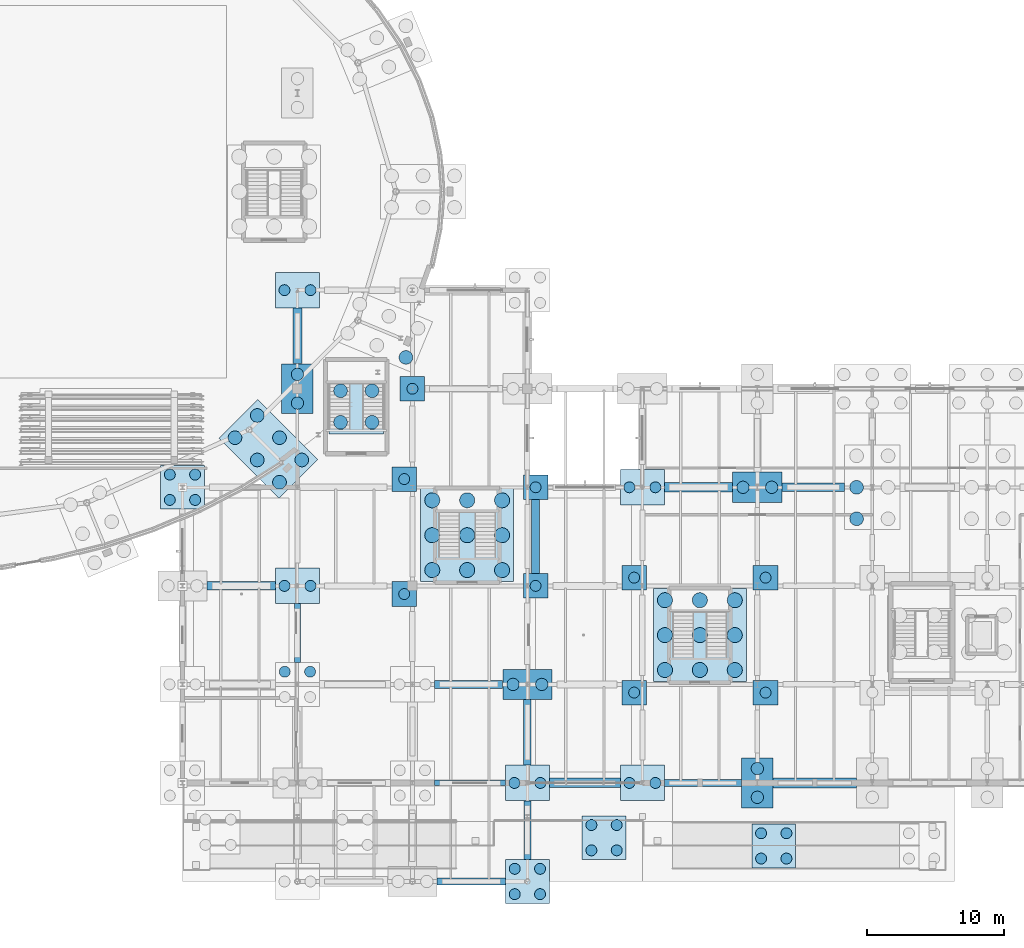
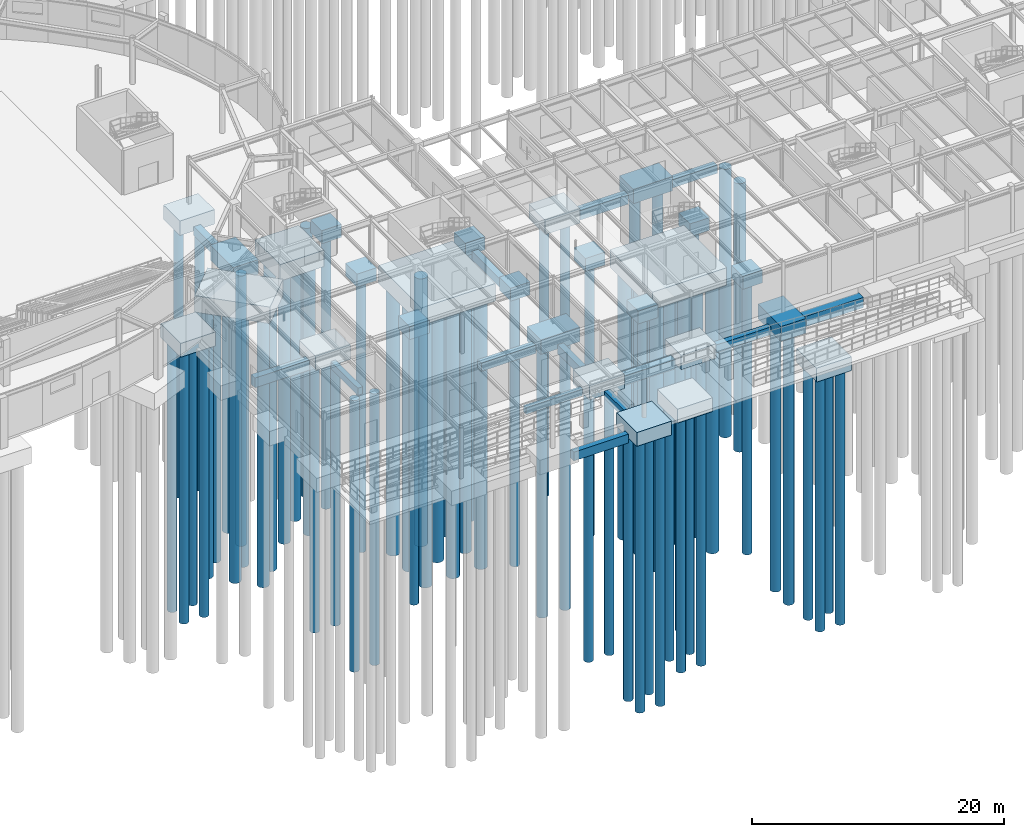
# One storey, part 2 of 93: 76 piles, 40 footings.
"""IFC4 building model written with IfcOpenShell, lengths in metres."""

from ifc_helpers import new_model, si_unit, derived_unit, direction, frame, origin, origin_2d, place, context, subcontext, project, spatial, rectangle, circle, extrude, material, material_profile, profile_set, type_object, element, save


model = new_model("IFC4")

# Units and contexts
model_context = context("Model", 3, precision=1e-05, world=origin(), true_north=direction((0.0, 1.0)))
body_context = subcontext(model_context, "Body", "Model", "MODEL_VIEW")
ifc_project = project(units=[si_unit("LENGTHUNIT", "METRE"), si_unit("AREAUNIT", "SQUARE_METRE"), si_unit("VOLUMEUNIT", "CUBIC_METRE"), si_unit("PLANEANGLEUNIT", "RADIAN"), si_unit("MASSUNIT", "GRAM", prefix="KILO"), derived_unit("THERMALTRANSMITTANCEUNIT", [(si_unit("MASSUNIT", "GRAM", prefix="KILO"), 1), (si_unit("TIMEUNIT", "SECOND"), -3), (si_unit("THERMODYNAMICTEMPERATUREUNIT", "KELVIN"), -1)])], contexts=[model_context])

# Site, building, storey
site_placement = place(None, origin())
site = spatial("IfcSite", under=ifc_project, at=site_placement, CompositionType="ELEMENT")
building_placement = place(site_placement, origin())
building = spatial("IfcBuilding", under=site, at=building_placement, Name="Kharveza Railside Sports Centre", CompositionType="ELEMENT")
storey_placement = place(building_placement, origin())
storey = spatial("IfcBuildingStorey", under=building, at=storey_placement, Name="L00", CompositionType="ELEMENT", Elevation=0.0)

# Footings
ifc_material = material(Name="Concrete C35/45", Category="concrete")
ifc_material_profile_1 = material_profile(ifc_material, rectangle(XDim=0.60009765625, YDim=0.800048828125, at=origin_2d()), Name="GB 600x800")
ifc_profile_set_1 = profile_set([ifc_material_profile_1], Name="Concrete C35/45")
footing_type_1 = type_object("IfcFootingType", Name="FT-GB01", PredefinedType="FOOTING_BEAM", material=ifc_profile_set_1)
footing_1_placement = place(storey_placement, frame((94.0029296875, 14.39990234375, -1.800048828125), z_axis=(1.0, 0.0, 0.0), x_axis=(0.0, 1.0, 0.0)))
element("IfcFooting", 1, at=footing_1_placement, inside=storey, type_object=footing_type_1, Name="GB-EW-041", PredefinedType="FOOTING_BEAM", context=body_context, shape_type="SweptSolid", body=[
    extrude(rectangle(XDim=0.60009765625, YDim=0.800048828125, at=origin_2d()), origin(), (0.0, 0.0, 1.0), 4.994140625),
])
footing_2_placement = place(storey_placement, frame((101.39990234375, 22.5029296875, -1.800048828125), z_axis=(0.0, 1.0, 0.0), x_axis=(-1.0, 0.0, 0.0)))
element("IfcFooting", 2, at=footing_2_placement, inside=storey, type_object=footing_type_1, Name="GB-NS-061", PredefinedType="FOOTING_BEAM", context=body_context, shape_type="SweptSolid", body=[
    extrude(rectangle(XDim=0.60009765625, YDim=0.800048828125, at=origin_2d()), origin(), (0.0, 0.0, 1.0), 5.39404296875),
])
footing_3_placement = place(storey_placement, frame((119.403076171875, 28.800048828125, -1.800048828125), z_axis=(1.0, 0.0, 0.0), x_axis=(0.0, 1.0, 0.0)))
element("IfcFooting", 3, at=footing_3_placement, inside=storey, type_object=footing_type_1, Name="GB-EW-071", PredefinedType="FOOTING_BEAM", context=body_context, shape_type="SweptSolid", body=[
    extrude(rectangle(XDim=0.60009765625, YDim=0.800048828125, at=origin_2d()), origin(), (0.0, 0.0, 1.0), 4.56884765625),
])
ifc_material_profile_2 = material_profile(ifc_material, rectangle(XDim=0.5, YDim=0.75, at=origin_2d()), Name="GB 500x750")
ifc_profile_set_2 = profile_set([ifc_material_profile_2], Name="Concrete C35/45")
footing_type_2 = type_object("IfcFootingType", Name="FT-GB02", PredefinedType="FOOTING_BEAM", material=ifc_profile_set_2)
footing_4_placement = place(storey_placement, frame((100.800048828125, 1.60302734375, -1.77490234375), z_axis=(0.0, 1.0, 0.0), x_axis=(-1.0, 0.0, 0.0)))
element("IfcFooting", 4, at=footing_4_placement, inside=storey, type_object=footing_type_2, Name="GB-NS-052", PredefinedType="FOOTING_BEAM", context=body_context, shape_type="SweptSolid", body=[
    extrude(rectangle(XDim=0.5, YDim=0.75, at=origin_2d()), origin(), (0.0, 0.0, 1.0), 4.2939453125),
])
footing_5_placement = place(storey_placement, frame((110.802978515625, 7.199951171875, -1.77490234375), z_axis=(1.0, 0.0, 0.0), x_axis=(0.0, 1.0, 0.0)))
element("IfcFooting", 5, at=footing_5_placement, inside=storey, type_object=footing_type_2, Name="GB-EW-062", PredefinedType="FOOTING_BEAM", context=body_context, shape_type="SweptSolid", body=[
    extrude(rectangle(XDim=0.5, YDim=0.75, at=origin_2d()), origin(), (0.0, 0.0, 1.0), 5.64404296875),
])
ifc_material_profile_3 = material_profile(ifc_material, rectangle(XDim=0.699951171875, YDim=0.89990234375, at=origin_2d()), Name="GB 700x900")
ifc_profile_set_3 = profile_set([ifc_material_profile_3], Name="Concrete C35/45")
footing_type_3 = type_object("IfcFootingType", Name="FT-GB03", PredefinedType="FOOTING_BEAM", material=ifc_profile_set_3)
footing_6_placement = place(storey_placement, frame((102.403076171875, 7.199951171875, -1.85009765625), z_axis=(1.0, 0.0, 0.0), x_axis=(0.0, 1.0, 0.0)))
element("IfcFooting", 6, at=footing_6_placement, inside=storey, type_object=footing_type_3, Name="GB-EW-053", PredefinedType="FOOTING_BEAM", context=body_context, shape_type="SweptSolid", body=[
    extrude(rectangle(XDim=0.699951171875, YDim=0.89990234375, at=origin_2d()), origin(), (0.0, 0.0, 1.0), 5.19384765625),
])
footing_7_placement = place(storey_placement, frame((110.802978515625, 28.800048828125, -1.85009765625), z_axis=(1.0, 0.0, 0.0), x_axis=(0.0, 1.0, 0.0)))
element("IfcFooting", 7, at=footing_7_placement, inside=storey, type_object=footing_type_3, Name="GB-EW-063", PredefinedType="FOOTING_BEAM", context=body_context, shape_type="SweptSolid", body=[
    extrude(rectangle(XDim=0.699951171875, YDim=0.89990234375, at=origin_2d()), origin(), (0.0, 0.0, 1.0), 4.994140625),
])
ifc_material_profile_4 = material_profile(ifc_material, rectangle(XDim=0.550048828125, YDim=0.85009765625, at=origin_2d()), Name="GB 550x850")
ifc_profile_set_4 = profile_set([ifc_material_profile_4], Name="Concrete C35/45")
footing_type_4 = type_object("IfcFootingType", Name="FT-GB04", PredefinedType="FOOTING_BEAM", material=ifc_profile_set_4)
footing_8_placement = place(storey_placement, frame((100.800048828125, 8.5029296875, -1.824951171875), z_axis=(0.0, 1.0, 0.0), x_axis=(-1.0, 0.0, 0.0)))
element("IfcFooting", 8, at=footing_8_placement, inside=storey, type_object=footing_type_4, Name="GB-NS-054", PredefinedType="FOOTING_BEAM", context=body_context, shape_type="SweptSolid", body=[
    extrude(rectangle(XDim=0.550048828125, YDim=0.85009765625, at=origin_2d()), origin(), (0.0, 0.0, 1.0), 4.794189453125),
])
ifc_material_profile_5 = material_profile(ifc_material, rectangle(XDim=0.449951171875, YDim=0.699951171875, at=origin_2d()), Name="GB 450x700")
ifc_profile_set_5 = profile_set([ifc_material_profile_5], Name="Concrete C35/45")
footing_type_5 = type_object("IfcFootingType", Name="FT-GB05", PredefinedType="FOOTING_BEAM", material=ifc_profile_set_5)
footing_9_placement = place(storey_placement, frame((84.0, 16.0029296875, -1.75), z_axis=(0.0, 1.0, 0.0), x_axis=(-1.0, 0.0, 0.0)))
element("IfcFooting", 9, at=footing_9_placement, inside=storey, type_object=footing_type_5, Name="GB-NS-035", PredefinedType="FOOTING_BEAM", context=body_context, shape_type="SweptSolid", body=[
    extrude(rectangle(XDim=0.449951171875, YDim=0.699951171875, at=origin_2d()), origin(), (0.0, 0.0, 1.0), 4.294189453125),
])
ifc_material_profile_6 = material_profile(ifc_material, rectangle(XDim=0.64990234375, YDim=0.85009765625, at=origin_2d()), Name="GB 650x850")
ifc_profile_set_6 = profile_set([ifc_material_profile_6], Name="Concrete C35/45")
footing_type_6 = type_object("IfcFootingType", Name="FT-GB06", PredefinedType="FOOTING_BEAM", material=ifc_profile_set_6)
footing_10_placement = place(storey_placement, frame((84.0, 37.827880859375, -1.824951171875), z_axis=(0.0, 1.0, 0.0), x_axis=(-1.0, 0.0, 0.0)))
element("IfcFooting", 10, at=footing_10_placement, inside=storey, type_object=footing_type_6, Name="GB-NS-036", PredefinedType="FOOTING_BEAM", context=body_context, shape_type="SweptSolid", body=[
    extrude(rectangle(XDim=0.64990234375, YDim=0.85009765625, at=origin_2d()), origin(), (0.0, 0.0, 1.0), 4.069091796875),
])
ifc_material_profile_7 = material_profile(ifc_material, rectangle(XDim=0.5, YDim=0.85009765625, at=origin_2d()), Name="GB 500x850")
ifc_profile_set_7 = profile_set([ifc_material_profile_7], Name="Concrete C35/45")
footing_type_7 = type_object("IfcFootingType", Name="FT-GB07", PredefinedType="FOOTING_BEAM", material=ifc_profile_set_7)
footing_11_placement = place(storey_placement, frame((94.202880859375, 0.0, -1.824951171875), z_axis=(1.0, 0.0, 0.0), x_axis=(0.0, 1.0, 0.0)))
element("IfcFooting", 11, at=footing_11_placement, inside=storey, type_object=footing_type_7, Name="GB-EW-037", PredefinedType="FOOTING_BEAM", context=body_context, shape_type="SweptSolid", body=[
    extrude(rectangle(XDim=0.5, YDim=0.85009765625, at=origin_2d()), origin(), (0.0, 0.0, 1.0), 4.994140625),
])
ifc_material_profile_8 = material_profile(ifc_material, rectangle(XDim=0.60009765625, YDim=0.949951171875, at=origin_2d()), Name="GB 600x950")
ifc_profile_set_8 = profile_set([ifc_material_profile_8], Name="Concrete C35/45")
footing_type_8 = type_object("IfcFootingType", Name="FT-GB08", PredefinedType="FOOTING_BEAM", material=ifc_profile_set_8)
footing_12_placement = place(storey_placement, frame((77.403076171875, 21.60009765625, -1.875), z_axis=(1.0, 0.0, 0.0), x_axis=(0.0, 1.0, 0.0)))
element("IfcFooting", 12, at=footing_12_placement, inside=storey, type_object=footing_type_8, Name="GB-EW-028", PredefinedType="FOOTING_BEAM", context=body_context, shape_type="SweptSolid", body=[
    extrude(rectangle(XDim=0.60009765625, YDim=0.949951171875, at=origin_2d()), origin(), (0.0, 0.0, 1.0), 4.993896484375),
])
ifc_material_profile_9 = material_profile(ifc_material, rectangle(XDim=0.39990234375, YDim=0.64990234375, at=origin_2d()), Name="GB 400x650")
ifc_profile_set_9 = profile_set([ifc_material_profile_9], Name="Concrete C35/45")
footing_type_9 = type_object("IfcFootingType", Name="FT-GB09", PredefinedType="FOOTING_BEAM", material=ifc_profile_set_9)
footing_13_placement = place(storey_placement, frame((94.0029296875, 7.199951171875, -1.72509765625), z_axis=(1.0, 0.0, 0.0), x_axis=(0.0, 1.0, 0.0)))
element("IfcFooting", 13, at=footing_13_placement, inside=storey, type_object=footing_type_9, Name="GB-EW-039", PredefinedType="FOOTING_BEAM", context=body_context, shape_type="SweptSolid", body=[
    extrude(rectangle(XDim=0.39990234375, YDim=0.64990234375, at=origin_2d()), origin(), (0.0, 0.0, 1.0), 5.194091796875),
])
ifc_material_profile_10 = material_profile(ifc_material, rectangle(XDim=0.75, YDim=1.0, at=origin_2d()), Name="GB 750x1000")
ifc_profile_set_10 = profile_set([ifc_material_profile_10], Name="Concrete C35/45")
footing_type_10 = type_object("IfcFootingType", Name="FT-GB10", PredefinedType="FOOTING_BEAM", material=ifc_profile_set_10)
footing_14_placement = place(storey_placement, frame((118.7529296875, 7.199951171875, -1.89990234375), z_axis=(1.0, 0.0, 0.0), x_axis=(0.0, 1.0, 0.0)))
element("IfcFooting", 14, at=footing_14_placement, inside=storey, type_object=footing_type_10, Name="GB-EW-070", PredefinedType="FOOTING_BEAM", context=body_context, shape_type="SweptSolid", body=[
    extrude(rectangle(XDim=0.75, YDim=1.0, at=origin_2d()), origin(), (0.0, 0.0, 1.0), 6.093994140625),
])
footing_type_11 = type_object("IfcFootingType", Name="FT-PC01", PredefinedType="PILE_CAP", material=ifc_material)
for number, where, z_axis, x_axis, name in (
    (15, (84.0, 21.60009765625, -1.820068359375), (0.0, 0.0, 1.0), (1.0, 0.0, 0.0), "FCAP-GRD-028"),
    (16, (84.0, 43.199951171875, -1.820068359375), (0.0, 0.0, 1.0), (1.0, 0.0, 0.0), "FCAP-GRD-031"),
    (17, (100.800048828125, 7.199951171875, -1.820068359375), (0.0, 0.0, 1.0), (1.0, 0.0, 0.0), "FCAP-GRD-046"),
    (18, (109.199951171875, 7.199951171875, -1.820068359375), (0.0, 0.0, 1.0), (1.0, 0.0, 0.0), "FCAP-GRD-055"),
    (19, (109.199951171875, 28.800048828125, -1.820068359375), (0.0, 0.0, 1.0), (1.0, 0.0, 0.0), "FCAP-GRD-058"),
):
    element("IfcFooting", number, at=place(storey_placement, frame(where, z_axis=z_axis, x_axis=x_axis)), inside=storey, type_object=footing_type_11, Name=name, PredefinedType="PILE_CAP", context=body_context, shape_type="SweptSolid", body=[
        extrude(rectangle(XDim=3.199951171875, YDim=2.60009765625, at=origin_2d()), origin(), (0.0, 0.0, 1.0), 1.39990234375),
    ])
footing_type_12 = type_object("IfcFootingType", Name="FT-PC02", PredefinedType="PILE_CAP", material=ifc_material)
for number, where, z_axis, x_axis, name in (
    (20, (100.800048828125, 14.39990234375, -1.820068359375), (0.0, 0.0, 1.0), (1.0, 0.0, 0.0), "FCAP-GRD-047"),
    (21, (117.60009765625, 28.800048828125, -1.820068359375), (0.0, 0.0, 1.0), (1.0, 0.0, 0.0), "FCAP-GRD-066"),
):
    element("IfcFooting", number, at=place(storey_placement, frame(where, z_axis=z_axis, x_axis=x_axis)), inside=storey, type_object=footing_type_12, Name=name, PredefinedType="PILE_CAP", context=body_context, shape_type="SweptSolid", body=[
        extrude(rectangle(XDim=3.60009765625, YDim=2.199951171875, at=origin_2d()), origin(), (0.0, 0.0, 1.0), 1.39990234375),
    ])
footing_type_13 = type_object("IfcFootingType", Name="FT-PC03", PredefinedType="PILE_CAP", material=ifc_material)
for number, where, z_axis, x_axis, name in (
    (22, (84.0, 36.0, -1.8701171875), (0.0, 0.0, 1.0), (1.0, 0.0, 0.0), "FCAP-GRD-030"),
    (23, (117.60009765625, 7.199951171875, -1.8701171875), (0.0, 0.0, 1.0), (1.0, 0.0, 0.0), "FCAP-GRD-063"),
):
    element("IfcFooting", number, at=place(storey_placement, frame(where, z_axis=z_axis, x_axis=x_axis)), inside=storey, type_object=footing_type_13, Name=name, PredefinedType="PILE_CAP", context=body_context, shape_type="SweptSolid", body=[
        extrude(rectangle(XDim=2.300048828125, YDim=3.64990234375, at=origin_2d()), origin(), (0.0, 0.0, 1.0), 1.449951171875),
    ])
footing_type_14 = type_object("IfcFootingType", Name="FT-PC05", PredefinedType="PILE_CAP", material=ifc_material)
footing_15_placement = place(storey_placement, frame((88.300048828125, 34.699951171875, -2.02001953125), z_axis=(0.0, 0.0, 1.0), x_axis=(1.0, 0.0, 0.0)))
element("IfcFooting", 24, at=footing_15_placement, inside=storey, type_object=footing_type_14, Name="FCAP-CORE-09", PredefinedType="PILE_CAP", context=body_context, shape_type="SweptSolid", body=[
    extrude(rectangle(XDim=4.0, YDim=4.0, at=origin_2d()), origin(), (0.0, 0.0, 1.0), 1.60009765625),
])
footing_type_15 = type_object("IfcFootingType", Name="FT-PC06", PredefinedType="PILE_CAP", material=ifc_material)
footing_16_placement = place(storey_placement, frame((81.876708984375, 31.608642578125, -2.02001953125), z_axis=(0.0, 0.0, 1.0), x_axis=(0.707106781187, -0.707106781187, 0.0)))
element("IfcFooting", 25, at=footing_16_placement, inside=storey, type_object=footing_type_15, Name="FCAP-DRUM-15", PredefinedType="PILE_CAP", context=body_context, shape_type="SweptSolid", body=[
    extrude(rectangle(XDim=6.199951171875, YDim=4.0, at=origin_2d()), origin(), (0.0, 0.0, 1.0), 1.60009765625),
])
footing_type_16 = type_object("IfcFootingType", Name="FT-PC08", PredefinedType="PILE_CAP", material=ifc_material)
for number, where, z_axis, x_axis, name in (
    (26, (96.39990234375, 25.300048828125, -2.1201171875), (0.0, 0.0, 1.0), (1.0, 0.0, 0.0), "FCAP-CORE-10"),
    (27, (113.39990234375, 18.0, -2.1201171875), (0.0, 0.0, 1.0), (1.0, 0.0, 0.0), "FCAP-CORE-12"),
):
    element("IfcFooting", number, at=place(storey_placement, frame(where, z_axis=z_axis, x_axis=x_axis)), inside=storey, type_object=footing_type_16, Name=name, PredefinedType="PILE_CAP", context=body_context, shape_type="SweptSolid", body=[
        extrude(rectangle(XDim=6.800048828125, YDim=6.800048828125, at=origin_2d()), origin(), (0.0, 0.0, 1.0), 1.699951171875),
    ])
footing_type_17 = type_object("IfcFootingType", Name="FT-PC10", PredefinedType="PILE_CAP", material=ifc_material)
for number, where, z_axis, x_axis, name in (
    (28, (106.39990234375, 3.199951171875, -3.41015625), (0.0, 0.0, 1.0), (1.0, 0.0, 0.0), "FCAP-APR-3"),
    (29, (118.800048828125, 2.60009765625, -3.41015625), (0.0, 0.0, 1.0), (1.0, 0.0, 0.0), "FCAP-APR-4"),
    (30, (75.60009765625, 28.800048828125, -1.77001953125), (0.0, 0.0, 1.0), (1.0, 0.0, 0.0), "FCAP-GRD-024"),
    (31, (100.800048828125, 0.0, -1.77001953125), (0.0, 0.0, 1.0), (1.0, 0.0, 0.0), "FCAP-GRD-045"),
):
    element("IfcFooting", number, at=place(storey_placement, frame(where, z_axis=z_axis, x_axis=x_axis)), inside=storey, type_object=footing_type_17, Name=name, PredefinedType="PILE_CAP", context=body_context, shape_type="SweptSolid", body=[
        extrude(rectangle(XDim=3.199951171875, YDim=3.199951171875, at=origin_2d()), origin(), (0.0, 0.0, 1.0), 1.35009765625),
    ])
footing_type_18 = type_object("IfcFootingType", Name="FT-PC13", PredefinedType="PILE_CAP", material=ifc_material)
for number, where, z_axis, x_axis, name in (
    (32, (91.800048828125, 21.0, -1.669921875), (0.0, 0.0, 1.0), (1.0, 0.0, 0.0), "FCAP-GRD-035"),
    (33, (91.800048828125, 29.39990234375, -1.669921875), (0.0, 0.0, 1.0), (1.0, 0.0, 0.0), "FCAP-GRD-036"),
    (34, (92.39990234375, 36.0, -1.669921875), (0.0, 0.0, 1.0), (1.0, 0.0, 0.0), "FCAP-GRD-037"),
    (35, (101.39990234375, 21.60009765625, -1.669921875), (0.0, 0.0, 1.0), (1.0, 0.0, 0.0), "FCAP-GRD-048"),
    (36, (101.39990234375, 28.800048828125, -1.669921875), (0.0, 0.0, 1.0), (1.0, 0.0, 0.0), "FCAP-GRD-049"),
    (37, (108.60009765625, 13.800048828125, -1.669921875), (0.0, 0.0, 1.0), (1.0, 0.0, 0.0), "FCAP-GRD-056"),
    (38, (108.60009765625, 22.199951171875, -1.669921875), (0.0, 0.0, 1.0), (1.0, 0.0, 0.0), "FCAP-GRD-057"),
    (39, (118.199951171875, 13.800048828125, -1.669921875), (0.0, 0.0, 1.0), (1.0, 0.0, 0.0), "FCAP-GRD-064"),
    (40, (118.199951171875, 22.199951171875, -1.669921875), (0.0, 0.0, 1.0), (1.0, 0.0, 0.0), "FCAP-GRD-065"),
):
    element("IfcFooting", number, at=place(storey_placement, frame(where, z_axis=z_axis, x_axis=x_axis)), inside=storey, type_object=footing_type_18, Name=name, PredefinedType="PILE_CAP", context=body_context, shape_type="SweptSolid", body=[
        extrude(rectangle(XDim=1.800048828125, YDim=1.800048828125, at=origin_2d()), origin(), (0.0, 0.0, 1.0), 1.25),
    ])

# Piles
ifc_material_profile_11 = material_profile(ifc_material, circle(Radius=0.5, at=origin_2d()), Name="PILE D1000")
ifc_profile_set_11 = profile_set([ifc_material_profile_11], Name="Concrete C35/45")
pile_type_1 = type_object("IfcPileType", Name="PL-B1000", PredefinedType="BORED", material=ifc_profile_set_11)
for number, where, z_axis, x_axis, name in (
    (41, (79.43701171875, 32.421875, -1.919921875), (0.0, 0.0, -1.0), (1.0, 0.0, 0.0), "FCAP-DRUM-15-P02-PL1"),
    (42, (81.0634765625, 30.79541015625, -1.919921875), (0.0, 0.0, -1.0), (1.0, 0.0, 0.0), "FCAP-DRUM-15-P02-PL2"),
    (43, (82.689697265625, 29.169189453125, -1.919921875), (0.0, 0.0, -1.0), (1.0, 0.0, 0.0), "FCAP-DRUM-15-P02-PL3"),
    (44, (81.0634765625, 34.048095703125, -1.919921875), (0.0, 0.0, -1.0), (1.0, 0.0, 0.0), "FCAP-DRUM-15-P02-PL4"),
    (45, (82.689697265625, 32.421875, -1.919921875), (0.0, 0.0, -1.0), (1.0, 0.0, 0.0), "FCAP-DRUM-15-P02-PL5"),
    (46, (84.316162109375, 30.79541015625, -1.919921875), (0.0, 0.0, -1.0), (1.0, 0.0, 0.0), "FCAP-DRUM-15-P02-PL6"),
    (47, (91.923583984375, 38.28759765625, -1.919921875), (0.0, 0.0, -1.0), (1.0, 0.0, 0.0), "FCAP-DRUM-16-P02-PL3"),
    (48, (87.14990234375, 33.550048828125, -1.919921875), (0.0, 0.0, -1.0), (1.0, 0.0, 0.0), "FCAP-CORE-09-P02-PL1"),
    (49, (89.449951171875, 33.550048828125, -1.919921875), (0.0, 0.0, -1.0), (1.0, 0.0, 0.0), "FCAP-CORE-09-P02-PL2"),
    (50, (87.14990234375, 35.85009765625, -1.919921875), (0.0, 0.0, -1.0), (1.0, 0.0, 0.0), "FCAP-CORE-09-P02-PL3"),
    (51, (89.449951171875, 35.85009765625, -1.919921875), (0.0, 0.0, -1.0), (1.0, 0.0, 0.0), "FCAP-CORE-09-P02-PL4"),
):
    element("IfcPile", number, at=place(storey_placement, frame(where, z_axis=z_axis, x_axis=x_axis)), inside=storey, type_object=pile_type_1, Name=name, PredefinedType="BORED", context=body_context, shape_type="SweptSolid", body=[
        extrude(circle(Radius=0.5, at=origin_2d()), origin(), (0.0, 0.0, 1.0), 26.080078125),
    ])
for number, where, z_axis, x_axis, name in (
    (52, (124.85009765625, 26.5, -1.969970703125), (0.0, 0.0, -1.0), (1.0, 0.0, 0.0), "FCAP-GRD-074-P02-PL1"),
    (53, (124.85009765625, 28.800048828125, -1.969970703125), (0.0, 0.0, -1.0), (1.0, 0.0, 0.0), "FCAP-GRD-074-P02-PL3"),
):
    element("IfcPile", number, at=place(storey_placement, frame(where, z_axis=z_axis, x_axis=x_axis)), inside=storey, type_object=pile_type_1, Name=name, PredefinedType="BORED", context=body_context, shape_type="SweptSolid", body=[
        extrude(circle(Radius=0.5, at=origin_2d()), origin(), (0.0, 0.0, 1.0), 26.030029296875),
    ])
ifc_material_profile_12 = material_profile(ifc_material, circle(Radius=0.550048828125, at=origin_2d()), Name="PILE D1100")
ifc_profile_set_12 = profile_set([ifc_material_profile_12], Name="Concrete C35/45")
pile_type_2 = type_object("IfcPileType", Name="PL-B1100", PredefinedType="BORED", material=ifc_profile_set_12)
for number, where, z_axis, x_axis, name in (
    (54, (93.85009765625, 22.75, -2.02001953125), (0.0, 0.0, -1.0), (1.0, 0.0, 0.0), "FCAP-CORE-10-P03-PL1"),
    (55, (96.39990234375, 22.75, -2.02001953125), (0.0, 0.0, -1.0), (1.0, 0.0, 0.0), "FCAP-CORE-10-P03-PL2"),
    (56, (98.949951171875, 22.75, -2.02001953125), (0.0, 0.0, -1.0), (1.0, 0.0, 0.0), "FCAP-CORE-10-P03-PL3"),
    (57, (93.85009765625, 25.300048828125, -2.02001953125), (0.0, 0.0, -1.0), (1.0, 0.0, 0.0), "FCAP-CORE-10-P03-PL4"),
    (58, (96.39990234375, 25.300048828125, -2.02001953125), (0.0, 0.0, -1.0), (1.0, 0.0, 0.0), "FCAP-CORE-10-P03-PL5"),
    (59, (98.949951171875, 25.300048828125, -2.02001953125), (0.0, 0.0, -1.0), (1.0, 0.0, 0.0), "FCAP-CORE-10-P03-PL6"),
    (60, (93.85009765625, 27.85009765625, -2.02001953125), (0.0, 0.0, -1.0), (1.0, 0.0, 0.0), "FCAP-CORE-10-P03-PL7"),
    (61, (96.39990234375, 27.85009765625, -2.02001953125), (0.0, 0.0, -1.0), (1.0, 0.0, 0.0), "FCAP-CORE-10-P03-PL8"),
    (62, (98.949951171875, 27.85009765625, -2.02001953125), (0.0, 0.0, -1.0), (1.0, 0.0, 0.0), "FCAP-CORE-10-P03-PL9"),
    (63, (110.85009765625, 15.449951171875, -2.02001953125), (0.0, 0.0, -1.0), (1.0, 0.0, 0.0), "FCAP-CORE-12-P03-PL1"),
    (64, (113.39990234375, 15.449951171875, -2.02001953125), (0.0, 0.0, -1.0), (1.0, 0.0, 0.0), "FCAP-CORE-12-P03-PL2"),
    (65, (115.949951171875, 15.449951171875, -2.02001953125), (0.0, 0.0, -1.0), (1.0, 0.0, 0.0), "FCAP-CORE-12-P03-PL3"),
    (66, (110.85009765625, 18.0, -2.02001953125), (0.0, 0.0, -1.0), (1.0, 0.0, 0.0), "FCAP-CORE-12-P03-PL4"),
    (67, (113.39990234375, 18.0, -2.02001953125), (0.0, 0.0, -1.0), (1.0, 0.0, 0.0), "FCAP-CORE-12-P03-PL5"),
    (68, (115.949951171875, 18.0, -2.02001953125), (0.0, 0.0, -1.0), (1.0, 0.0, 0.0), "FCAP-CORE-12-P03-PL6"),
    (69, (110.85009765625, 20.550048828125, -2.02001953125), (0.0, 0.0, -1.0), (1.0, 0.0, 0.0), "FCAP-CORE-12-P03-PL7"),
    (70, (113.39990234375, 20.550048828125, -2.02001953125), (0.0, 0.0, -1.0), (1.0, 0.0, 0.0), "FCAP-CORE-12-P03-PL8"),
    (71, (115.949951171875, 20.550048828125, -2.02001953125), (0.0, 0.0, -1.0), (1.0, 0.0, 0.0), "FCAP-CORE-12-P03-PL9"),
):
    element("IfcPile", number, at=place(storey_placement, frame(where, z_axis=z_axis, x_axis=x_axis)), inside=storey, type_object=pile_type_2, Name=name, PredefinedType="BORED", context=body_context, shape_type="SweptSolid", body=[
        extrude(circle(Radius=0.550048828125, at=origin_2d()), origin(), (0.0, 0.0, 1.0), 25.97998046875),
    ])
ifc_material_profile_13 = material_profile(ifc_material, circle(Radius=0.39990234375, at=origin_2d()), Name="PILE D800")
ifc_profile_set_13 = profile_set([ifc_material_profile_13], Name="Concrete C35/45")
pile_type_3 = type_object("IfcPileType", Name="PL-B800", PredefinedType="BORED", material=ifc_profile_set_13)
for number, where, z_axis, x_axis, name in (
    (72, (105.47509765625, 2.27490234375, -3.31005859375), (0.0, 0.0, -1.0), (1.0, 0.0, 0.0), "FCAP-APR-3-P04-PL1"),
    (73, (107.324951171875, 2.27490234375, -3.31005859375), (0.0, 0.0, -1.0), (1.0, 0.0, 0.0), "FCAP-APR-3-P04-PL2"),
    (74, (105.47509765625, 4.125, -3.31005859375), (0.0, 0.0, -1.0), (1.0, 0.0, 0.0), "FCAP-APR-3-P04-PL3"),
    (75, (107.324951171875, 4.125, -3.31005859375), (0.0, 0.0, -1.0), (1.0, 0.0, 0.0), "FCAP-APR-3-P04-PL4"),
    (76, (117.875, 1.675048828125, -3.31005859375), (0.0, 0.0, -1.0), (1.0, 0.0, 0.0), "FCAP-APR-4-P04-PL1"),
    (77, (119.72509765625, 1.675048828125, -3.31005859375), (0.0, 0.0, -1.0), (1.0, 0.0, 0.0), "FCAP-APR-4-P04-PL2"),
    (78, (117.875, 3.52490234375, -3.31005859375), (0.0, 0.0, -1.0), (1.0, 0.0, 0.0), "FCAP-APR-4-P04-PL3"),
    (79, (119.72509765625, 3.52490234375, -3.31005859375), (0.0, 0.0, -1.0), (1.0, 0.0, 0.0), "FCAP-APR-4-P04-PL4"),
):
    element("IfcPile", number, at=place(storey_placement, frame(where, z_axis=z_axis, x_axis=x_axis)), inside=storey, type_object=pile_type_3, Name=name, PredefinedType="BORED", context=body_context, shape_type="SweptSolid", body=[
        extrude(circle(Radius=0.39990234375, at=origin_2d()), origin(), (0.0, 0.0, 1.0), 24.68994140625),
    ])
for number, where, z_axis, x_axis, name in (
    (80, (74.675048828125, 27.875, -1.669921875), (0.0, 0.0, -1.0), (1.0, 0.0, 0.0), "FCAP-GRD-024-P04-PL1"),
    (81, (76.52490234375, 27.875, -1.669921875), (0.0, 0.0, -1.0), (1.0, 0.0, 0.0), "FCAP-GRD-024-P04-PL2"),
    (82, (74.675048828125, 29.72509765625, -1.669921875), (0.0, 0.0, -1.0), (1.0, 0.0, 0.0), "FCAP-GRD-024-P04-PL3"),
    (83, (76.52490234375, 29.72509765625, -1.669921875), (0.0, 0.0, -1.0), (1.0, 0.0, 0.0), "FCAP-GRD-024-P04-PL4"),
    (84, (83.074951171875, 15.324951171875, -1.669921875), (0.0, 0.0, -1.0), (1.0, 0.0, 0.0), "FCAP-GRD-027-P04-PL3"),
    (85, (84.925048828125, 15.324951171875, -1.669921875), (0.0, 0.0, -1.0), (1.0, 0.0, 0.0), "FCAP-GRD-027-P04-PL4"),
):
    element("IfcPile", number, at=place(storey_placement, frame(where, z_axis=z_axis, x_axis=x_axis)), inside=storey, type_object=pile_type_3, Name=name, PredefinedType="BORED", context=body_context, shape_type="SweptSolid", body=[
        extrude(circle(Radius=0.39990234375, at=origin_2d()), origin(), (0.0, 0.0, 1.0), 26.330078125),
    ])
for number, where, z_axis, x_axis, name in (
    (86, (83.050048828125, 21.60009765625, -1.719970703125), (0.0, 0.0, -1.0), (1.0, 0.0, 0.0), "FCAP-GRD-028-P04-PL1"),
    (87, (84.949951171875, 21.60009765625, -1.719970703125), (0.0, 0.0, -1.0), (1.0, 0.0, 0.0), "FCAP-GRD-028-P04-PL2"),
    (88, (83.050048828125, 43.199951171875, -1.719970703125), (0.0, 0.0, -1.0), (1.0, 0.0, 0.0), "FCAP-GRD-031-P04-PL1"),
    (89, (84.949951171875, 43.199951171875, -1.719970703125), (0.0, 0.0, -1.0), (1.0, 0.0, 0.0), "FCAP-GRD-031-P04-PL2"),
):
    element("IfcPile", number, at=place(storey_placement, frame(where, z_axis=z_axis, x_axis=x_axis)), inside=storey, type_object=pile_type_3, Name=name, PredefinedType="BORED", context=body_context, shape_type="SweptSolid", body=[
        extrude(circle(Radius=0.39990234375, at=origin_2d()), origin(), (0.0, 0.0, 1.0), 26.280029296875),
    ])
for number, where, z_axis, x_axis, name in (
    (90, (91.800048828125, 21.0, -1.570068359375), (0.0, 0.0, -1.0), (1.0, 0.0, 0.0), "FCAP-GRD-035-P04-PL1"),
    (91, (91.800048828125, 29.39990234375, -1.570068359375), (0.0, 0.0, -1.0), (1.0, 0.0, 0.0), "FCAP-GRD-036-P04-PL1"),
    (92, (92.39990234375, 36.0, -1.570068359375), (0.0, 0.0, -1.0), (1.0, 0.0, 0.0), "FCAP-GRD-037-P04-PL1"),
):
    element("IfcPile", number, at=place(storey_placement, frame(where, z_axis=z_axis, x_axis=x_axis)), inside=storey, type_object=pile_type_3, Name=name, PredefinedType="BORED", context=body_context, shape_type="SweptSolid", body=[
        extrude(circle(Radius=0.39990234375, at=origin_2d()), origin(), (0.0, 0.0, 1.0), 26.429931640625),
    ])
for number, where, z_axis, x_axis, name in (
    (93, (99.875, -0.925048828125, -1.669921875), (0.0, 0.0, -1.0), (1.0, 0.0, 0.0), "FCAP-GRD-045-P04-PL1"),
    (94, (101.72509765625, -0.925048828125, -1.669921875), (0.0, 0.0, -1.0), (1.0, 0.0, 0.0), "FCAP-GRD-045-P04-PL2"),
    (95, (99.875, 0.925048828125, -1.669921875), (0.0, 0.0, -1.0), (1.0, 0.0, 0.0), "FCAP-GRD-045-P04-PL3"),
    (96, (101.72509765625, 0.925048828125, -1.669921875), (0.0, 0.0, -1.0), (1.0, 0.0, 0.0), "FCAP-GRD-045-P04-PL4"),
):
    element("IfcPile", number, at=place(storey_placement, frame(where, z_axis=z_axis, x_axis=x_axis)), inside=storey, type_object=pile_type_3, Name=name, PredefinedType="BORED", context=body_context, shape_type="SweptSolid", body=[
        extrude(circle(Radius=0.39990234375, at=origin_2d()), origin(), (0.0, 0.0, 1.0), 26.330078125),
    ])
for number, where, z_axis, x_axis, name in (
    (97, (99.85009765625, 7.199951171875, -1.719970703125), (0.0, 0.0, -1.0), (1.0, 0.0, 0.0), "FCAP-GRD-046-P04-PL1"),
    (98, (101.75, 7.199951171875, -1.719970703125), (0.0, 0.0, -1.0), (1.0, 0.0, 0.0), "FCAP-GRD-046-P04-PL2"),
):
    element("IfcPile", number, at=place(storey_placement, frame(where, z_axis=z_axis, x_axis=x_axis)), inside=storey, type_object=pile_type_3, Name=name, PredefinedType="BORED", context=body_context, shape_type="SweptSolid", body=[
        extrude(circle(Radius=0.39990234375, at=origin_2d()), origin(), (0.0, 0.0, 1.0), 26.280029296875),
    ])
for number, where, z_axis, x_axis, name in (
    (99, (101.39990234375, 21.60009765625, -1.570068359375), (0.0, 0.0, -1.0), (1.0, 0.0, 0.0), "FCAP-GRD-048-P04-PL1"),
    (100, (101.39990234375, 28.800048828125, -1.570068359375), (0.0, 0.0, -1.0), (1.0, 0.0, 0.0), "FCAP-GRD-049-P04-PL1"),
):
    element("IfcPile", number, at=place(storey_placement, frame(where, z_axis=z_axis, x_axis=x_axis)), inside=storey, type_object=pile_type_3, Name=name, PredefinedType="BORED", context=body_context, shape_type="SweptSolid", body=[
        extrude(circle(Radius=0.39990234375, at=origin_2d()), origin(), (0.0, 0.0, 1.0), 26.429931640625),
    ])
for number, where, z_axis, x_axis, name in (
    (101, (108.25, 7.199951171875, -1.719970703125), (0.0, 0.0, -1.0), (1.0, 0.0, 0.0), "FCAP-GRD-055-P04-PL1"),
    (102, (110.14990234375, 7.199951171875, -1.719970703125), (0.0, 0.0, -1.0), (1.0, 0.0, 0.0), "FCAP-GRD-055-P04-PL2"),
):
    element("IfcPile", number, at=place(storey_placement, frame(where, z_axis=z_axis, x_axis=x_axis)), inside=storey, type_object=pile_type_3, Name=name, PredefinedType="BORED", context=body_context, shape_type="SweptSolid", body=[
        extrude(circle(Radius=0.39990234375, at=origin_2d()), origin(), (0.0, 0.0, 1.0), 26.280029296875),
    ])
for number, where, z_axis, x_axis, name in (
    (103, (108.60009765625, 13.800048828125, -1.570068359375), (0.0, 0.0, -1.0), (1.0, 0.0, 0.0), "FCAP-GRD-056-P04-PL1"),
    (104, (108.60009765625, 22.199951171875, -1.570068359375), (0.0, 0.0, -1.0), (1.0, 0.0, 0.0), "FCAP-GRD-057-P04-PL1"),
):
    element("IfcPile", number, at=place(storey_placement, frame(where, z_axis=z_axis, x_axis=x_axis)), inside=storey, type_object=pile_type_3, Name=name, PredefinedType="BORED", context=body_context, shape_type="SweptSolid", body=[
        extrude(circle(Radius=0.39990234375, at=origin_2d()), origin(), (0.0, 0.0, 1.0), 26.429931640625),
    ])
for number, where, z_axis, x_axis, name in (
    (105, (108.25, 28.800048828125, -1.719970703125), (0.0, 0.0, -1.0), (1.0, 0.0, 0.0), "FCAP-GRD-058-P04-PL1"),
    (106, (110.14990234375, 28.800048828125, -1.719970703125), (0.0, 0.0, -1.0), (1.0, 0.0, 0.0), "FCAP-GRD-058-P04-PL2"),
):
    element("IfcPile", number, at=place(storey_placement, frame(where, z_axis=z_axis, x_axis=x_axis)), inside=storey, type_object=pile_type_3, Name=name, PredefinedType="BORED", context=body_context, shape_type="SweptSolid", body=[
        extrude(circle(Radius=0.39990234375, at=origin_2d()), origin(), (0.0, 0.0, 1.0), 26.280029296875),
    ])
for number, where, z_axis, x_axis, name in (
    (107, (118.199951171875, 13.800048828125, -1.570068359375), (0.0, 0.0, -1.0), (1.0, 0.0, 0.0), "FCAP-GRD-064-P04-PL1"),
    (108, (118.199951171875, 22.199951171875, -1.570068359375), (0.0, 0.0, -1.0), (1.0, 0.0, 0.0), "FCAP-GRD-065-P04-PL1"),
):
    element("IfcPile", number, at=place(storey_placement, frame(where, z_axis=z_axis, x_axis=x_axis)), inside=storey, type_object=pile_type_3, Name=name, PredefinedType="BORED", context=body_context, shape_type="SweptSolid", body=[
        extrude(circle(Radius=0.39990234375, at=origin_2d()), origin(), (0.0, 0.0, 1.0), 26.429931640625),
    ])
ifc_material_profile_14 = material_profile(ifc_material, circle(Radius=0.449951171875, at=origin_2d()), Name="PILE D900")
ifc_profile_set_14 = profile_set([ifc_material_profile_14], Name="Concrete C35/45")
pile_type_4 = type_object("IfcPileType", Name="PL-B900", PredefinedType="BORED", material=ifc_profile_set_14)
for number, where, z_axis, x_axis, name in (
    (109, (84.0, 34.949951171875, -1.77001953125), (0.0, 0.0, -1.0), (1.0, 0.0, 0.0), "FCAP-GRD-030-P01-PL1"),
    (110, (84.0, 37.050048828125, -1.77001953125), (0.0, 0.0, -1.0), (1.0, 0.0, 0.0), "FCAP-GRD-030-P01-PL2"),
):
    element("IfcPile", number, at=place(storey_placement, frame(where, z_axis=z_axis, x_axis=x_axis)), inside=storey, type_object=pile_type_4, Name=name, PredefinedType="BORED", context=body_context, shape_type="SweptSolid", body=[
        extrude(circle(Radius=0.449951171875, at=origin_2d()), origin(), (0.0, 0.0, 1.0), 26.22998046875),
    ])
for number, where, z_axis, x_axis, name in (
    (111, (99.75, 14.39990234375, -1.719970703125), (0.0, 0.0, -1.0), (1.0, 0.0, 0.0), "FCAP-GRD-047-P01-PL1"),
    (112, (101.85009765625, 14.39990234375, -1.719970703125), (0.0, 0.0, -1.0), (1.0, 0.0, 0.0), "FCAP-GRD-047-P01-PL2"),
):
    element("IfcPile", number, at=place(storey_placement, frame(where, z_axis=z_axis, x_axis=x_axis)), inside=storey, type_object=pile_type_4, Name=name, PredefinedType="BORED", context=body_context, shape_type="SweptSolid", body=[
        extrude(circle(Radius=0.449951171875, at=origin_2d()), origin(), (0.0, 0.0, 1.0), 26.280029296875),
    ])
for number, where, z_axis, x_axis, name in (
    (113, (117.60009765625, 6.14990234375, -1.77001953125), (0.0, 0.0, -1.0), (1.0, 0.0, 0.0), "FCAP-GRD-063-P01-PL1"),
    (114, (117.60009765625, 8.25, -1.77001953125), (0.0, 0.0, -1.0), (1.0, 0.0, 0.0), "FCAP-GRD-063-P01-PL2"),
):
    element("IfcPile", number, at=place(storey_placement, frame(where, z_axis=z_axis, x_axis=x_axis)), inside=storey, type_object=pile_type_4, Name=name, PredefinedType="BORED", context=body_context, shape_type="SweptSolid", body=[
        extrude(circle(Radius=0.449951171875, at=origin_2d()), origin(), (0.0, 0.0, 1.0), 26.22998046875),
    ])
for number, where, z_axis, x_axis, name in (
    (115, (116.550048828125, 28.800048828125, -1.719970703125), (0.0, 0.0, -1.0), (1.0, 0.0, 0.0), "FCAP-GRD-066-P01-PL1"),
    (116, (118.64990234375, 28.800048828125, -1.719970703125), (0.0, 0.0, -1.0), (1.0, 0.0, 0.0), "FCAP-GRD-066-P01-PL2"),
):
    element("IfcPile", number, at=place(storey_placement, frame(where, z_axis=z_axis, x_axis=x_axis)), inside=storey, type_object=pile_type_4, Name=name, PredefinedType="BORED", context=body_context, shape_type="SweptSolid", body=[
        extrude(circle(Radius=0.449951171875, at=origin_2d()), origin(), (0.0, 0.0, 1.0), 26.280029296875),
    ])

save(model, "model.ifc")
